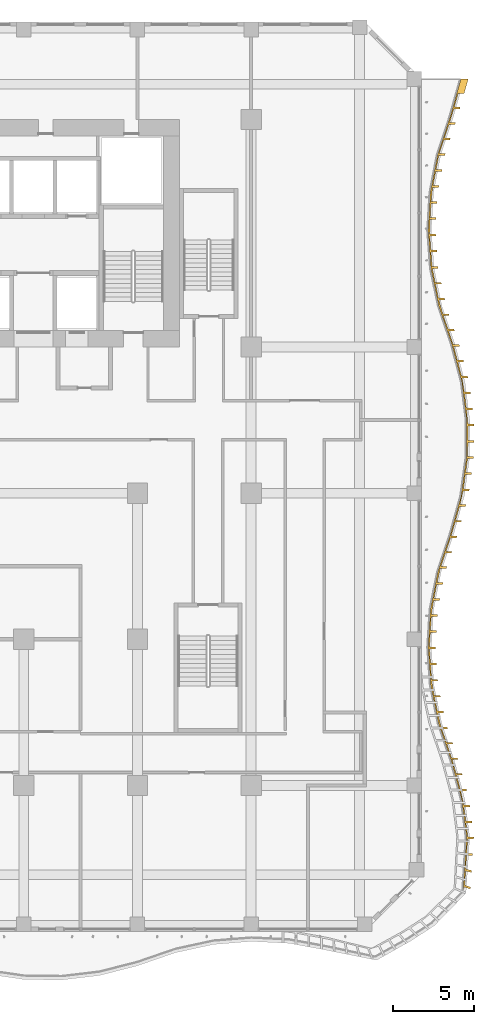
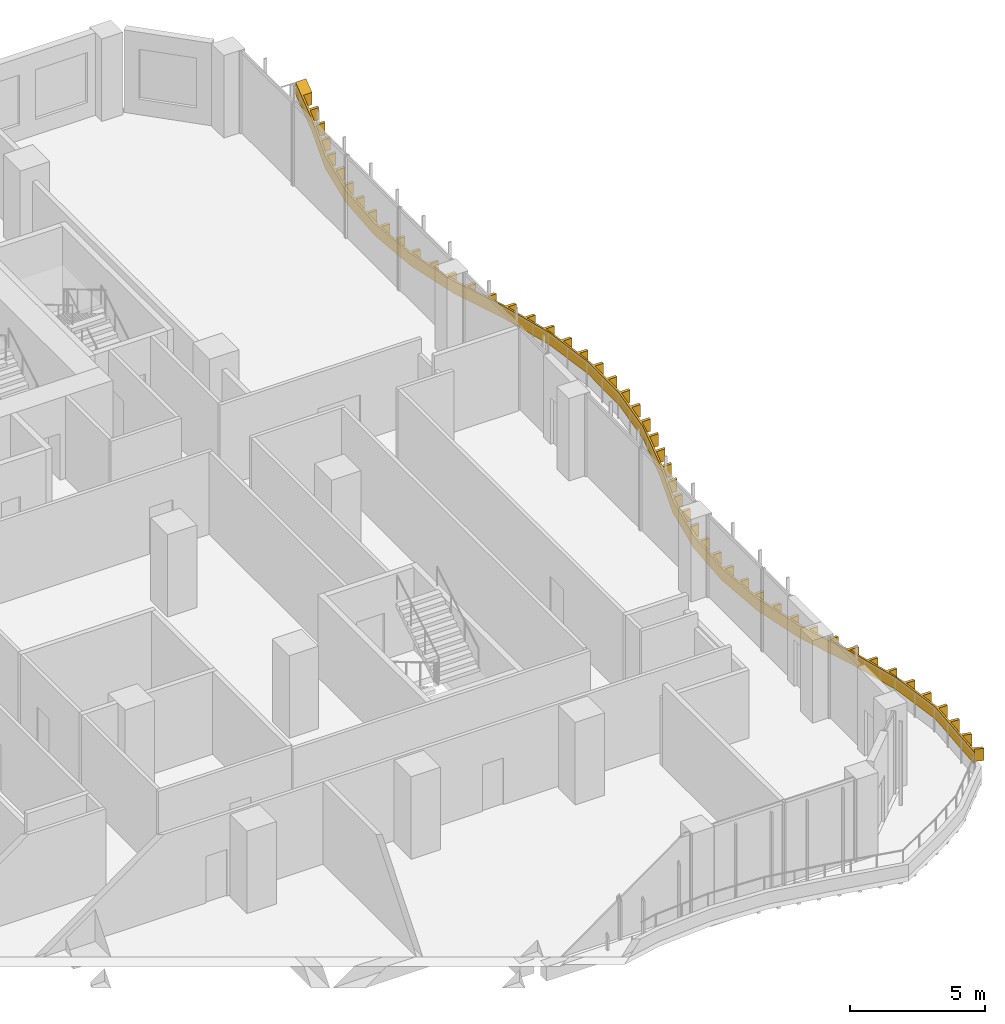
# One storey, part 26 of 29: 1 shading device.
"""IFC4 building model written with IfcOpenShell, lengths in metres."""

from ifc_helpers import new_model, si_unit, direction, frame, origin, place, context, subcontext, project, spatial, polyline, outline, extrude, source, transform, mapped, material, layer, layer_set, type_object, element, save


model = new_model("IFC4")

# Units and contexts
model_context = context("Model", 3, precision=1e-05, world=origin(), true_north=direction((0.0, 1.0)))
body_context = subcontext(model_context, "Body", "Model", "MODEL_VIEW")
ifc_project = project(units=[si_unit("LENGTHUNIT", "METRE"), si_unit("AREAUNIT", "SQUARE_METRE"), si_unit("VOLUMEUNIT", "CUBIC_METRE"), si_unit("PLANEANGLEUNIT", "RADIAN"), si_unit("MASSUNIT", "GRAM", prefix="KILO")], contexts=[model_context])

# Site, building, storey
site_placement = place(None, origin())
site = spatial("IfcSite", under=ifc_project, at=site_placement, CompositionType="ELEMENT")
building_placement = place(site_placement, origin())
building = spatial("IfcBuilding", under=site, at=building_placement, Name="Kilnfold Tower and Market Hall", CompositionType="ELEMENT")
storey_placement = place(building_placement, frame((0.0, 0.0, 79.199951171875)))
storey = spatial("IfcBuildingStorey", under=building, at=storey_placement, Name="L18", CompositionType="ELEMENT", Elevation=79.199951171875)

# Shading device
ifc_material = material(Name="Bronze anodised aluminium", Category="aluminium")
ifc_layer = layer(ifc_material, 0.550048828125)
ifc_layer_set = layer_set([ifc_layer], Name="Bronze anodised aluminium")
shading_device_type = type_object("IfcShadingDeviceType", Name="BRONZE SLAT FASCIA 550", PredefinedType="USERDEFINED", material=ifc_layer_set)
shared_shape = source(origin(), body_context, "Body", "SweptSolid", [
    extrude(outline(polyline([(35.98974609375, -25.377197265625), (35.644287109375, -25.249267578125), (35.55908203125, -25.404541015625), (35.76416015625, -22.166748046875), (35.46044921875, -19.833251953125), (34.83203125, -17.5), (34.0400390625, -15.166748046875), (33.5625, -12.833251953125), (33.400146484375, -10.5), (33.5439453125, -8.166748046875), (34.001708984375, -5.833251953125), (34.782958984375, -3.5), (35.431884765625, -1.166748046875), (35.754638671875, 1.166748046875), (35.7685546875, 3.5), (35.474365234375, 5.833251953125), (34.856201171875, 8.166748046875), (34.059814453125, 10.5), (33.572509765625, 12.833251953125), (33.400634765625, 15.166748046875), (33.53515625, 17.5), (33.983154296875, 19.833251953125), (34.7578125, 22.166748046875), (35.417236328125, 24.5), (35.8671875, 24.5), (35.6162109375, 23.611572265625), (35.24609375, 23.611572265625), (35.0068359375, 22.7646484375), (35.376708984375, 22.7646484375), (35.343994140625, 22.649169921875), (34.97412109375, 22.649169921875), (34.718505859375, 21.807373046875), (35.08837890625, 21.807373046875), (35.05078125, 21.693359375), (34.6806640625, 21.693359375), (34.4033203125, 20.8583984375), (34.7734375, 20.8583984375), (34.735595703125, 20.744384765625), (34.365478515625, 20.744384765625), (34.08837890625, 19.9091796875), (34.458251953125, 19.9091796875), (34.425537109375, 19.7939453125), (34.0556640625, 19.7939453125), (33.8896484375, 18.9296875), (34.259521484375, 18.9296875), (34.237060546875, 18.81201171875), (33.866943359375, 18.81201171875), (33.701171875, 17.94775390625), (34.071044921875, 17.94775390625), (34.04833984375, 17.829833984375), (33.678466796875, 17.829833984375), (33.583740234375, 16.956787109375), (33.953857421875, 16.956787109375), (33.947021484375, 16.8369140625), (33.576904296875, 16.8369140625), (33.526123046875, 15.95849609375), (33.896240234375, 15.95849609375), (33.889404296875, 15.838623046875), (33.519287109375, 15.838623046875), (33.495849609375, 14.960205078125), (33.86572265625, 14.960205078125), (33.87451171875, 14.8408203125), (33.504638671875, 14.8408203125), (33.569091796875, 13.962890625), (33.939208984375, 13.962890625), (33.947998046875, 13.843505859375), (33.577880859375, 13.843505859375), (33.642578125, 12.9658203125), (34.0126953125, 12.9658203125), (34.021484375, 12.84619140625), (33.651611328125, 12.84619140625), (33.82958984375, 11.984375), (34.19970703125, 11.984375), (34.22412109375, 11.866943359375), (33.854248046875, 11.866943359375), (34.0341796875, 11.005615234375), (34.404052734375, 11.005615234375), (34.4287109375, 10.88818359375), (34.05859375, 10.88818359375), (34.2958984375, 10.04248046875), (34.666015625, 10.04248046875), (34.70458984375, 9.9287109375), (34.334716796875, 9.9287109375), (34.618896484375, 9.095947265625), (34.989013671875, 9.095947265625), (35.027587890625, 8.982421875), (34.65771484375, 8.982421875), (34.94091796875, 8.149169921875), (35.310791015625, 8.149169921875), (35.341552734375, 8.033203125), (34.9716796875, 8.033203125), (35.197021484375, 7.1826171875), (35.56689453125, 7.1826171875), (35.59765625, 7.066650390625), (35.227783203125, 7.066650390625), (35.452880859375, 6.2158203125), (35.822998046875, 6.2158203125), (35.853759765625, 6.099853515625), (35.48388671875, 6.099853515625), (35.6298828125, 5.23388671875), (36.0, 5.23388671875), (36.014892578125, 5.11474609375), (35.64501953125, 5.11474609375), (35.7548828125, 4.24169921875), (36.125, 4.24169921875), (36.139892578125, 4.122802734375), (35.77001953125, 4.122802734375), (35.846923828125, 3.24755859375), (36.217041015625, 3.24755859375), (36.21630859375, 3.127685546875), (35.84619140625, 3.127685546875), (35.841064453125, 2.24755859375), (36.2109375, 2.24755859375), (36.210205078125, 2.127685546875), (35.84033203125, 2.127685546875), (35.835205078125, 1.24755859375), (36.205078125, 1.24755859375), (36.20458984375, 1.166748046875), (36.19921875, 1.1279296875), (35.829345703125, 1.1279296875), (35.708740234375, 0.25634765625), (36.07861328125, 0.25634765625), (36.062255859375, 0.137451171875), (35.6923828125, 0.137451171875), (35.57177734375, -0.734375), (35.94189453125, -0.734375), (35.92529296875, -0.853271484375), (35.555419921875, -0.853271484375), (35.361083984375, -1.709716796875), (35.73095703125, -1.709716796875), (35.69873046875, -1.8251953125), (35.328857421875, -1.8251953125), (35.093017578125, -2.673095703125), (35.462890625, -2.673095703125), (35.430908203125, -2.78857421875), (35.060791015625, -2.78857421875), (34.818115234375, -3.63427734375), (35.18798828125, -3.63427734375), (35.14990234375, -3.748046875), (34.77978515625, -3.748046875), (34.50048828125, -4.58251953125), (34.87060546875, -4.58251953125), (34.83251953125, -4.6962890625), (34.46240234375, -4.6962890625), (34.18310546875, -5.53076171875), (34.552978515625, -5.53076171875), (34.514892578125, -5.64453125), (34.14501953125, -5.64453125), (33.95068359375, -6.501708984375), (34.32080078125, -6.501708984375), (34.297607421875, -6.619384765625), (33.927490234375, -6.619384765625), (33.75830078125, -7.48291015625), (34.128173828125, -7.48291015625), (34.10498046875, -7.6005859375), (33.735107421875, -7.6005859375), (33.605224609375, -8.46923828125), (33.975341796875, -8.46923828125), (33.968017578125, -8.589111328125), (33.597900390625, -8.589111328125), (33.543701171875, -9.46728515625), (33.913818359375, -9.46728515625), (33.906494140625, -9.587158203125), (33.536376953125, -9.587158203125), (33.482177734375, -10.46533203125), (33.852294921875, -10.46533203125), (33.85595703125, -10.585205078125), (33.486083984375, -10.585205078125), (33.547119140625, -11.462890625), (33.917236328125, -11.462890625), (33.925537109375, -11.582763671875), (33.555419921875, -11.582763671875), (33.61669921875, -12.460693359375), (33.986572265625, -12.460693359375), (33.9951171875, -12.580322265625), (33.625, -12.580322265625), (33.768310546875, -13.447021484375), (34.13818359375, -13.447021484375), (34.162109375, -13.564697265625), (33.792236328125, -13.564697265625), (33.96875, -14.4267578125), (34.338623046875, -14.4267578125), (34.36279296875, -14.544189453125), (33.99267578125, -14.544189453125), (34.19873046875, -15.3984375), (34.568603515625, -15.3984375), (34.607421875, -15.511962890625), (34.2373046875, -15.511962890625), (34.520263671875, -16.34521484375), (34.89013671875, -16.34521484375), (34.9287109375, -16.458984375), (34.55859375, -16.458984375), (34.841552734375, -17.292236328125), (35.211669921875, -17.292236328125), (35.250244140625, -17.406005859375), (34.880126953125, -17.406005859375), (35.114990234375, -18.25390625), (35.485107421875, -18.25390625), (35.516357421875, -18.36962890625), (35.146240234375, -18.36962890625), (35.375244140625, -19.219482421875), (35.7451171875, -19.219482421875), (35.7763671875, -19.335205078125), (35.406494140625, -19.335205078125), (35.58740234375, -20.1943359375), (35.95751953125, -20.1943359375), (35.972900390625, -20.3134765625), (35.60302734375, -20.3134765625), (35.716552734375, -21.18603515625), (36.08642578125, -21.18603515625), (36.10205078125, -21.30517578125), (35.73193359375, -21.30517578125), (35.843505859375, -22.177490234375), (36.21337890625, -22.177978515625), (36.20458984375, -22.301025390625), (35.83544921875, -22.2958984375), (35.77783203125, -23.162109375), (36.1416015625, -23.203369140625), (36.133056640625, -23.326416015625), (35.770263671875, -23.280029296875), (35.714111328125, -24.146240234375), (36.070068359375, -24.228759765625), (36.061279296875, -24.351806640625), (35.70654296875, -24.264404296875), (35.651611328125, -25.131103515625), (35.998291015625, -25.254150390625), (35.98974609375, -25.377197265625)])), origin(), (0.0, 0.0, 1.0), 0.550048828125),
])
shading_device_placement = place(storey_placement, frame((0.0, 0.0, 0.550048828125)))
element("IfcShadingDevice", 1, at=shading_device_placement, inside=storey, type_object=shading_device_type, Name="Balcony slat fascia L18", ObjectType="SLAT", PredefinedType="USERDEFINED", context=body_context, shape_type="MappedRepresentation", body=[
    mapped(shared_shape, transform((0.0, 0.0, 0.0))),
])

save(model, "model.ifc")
